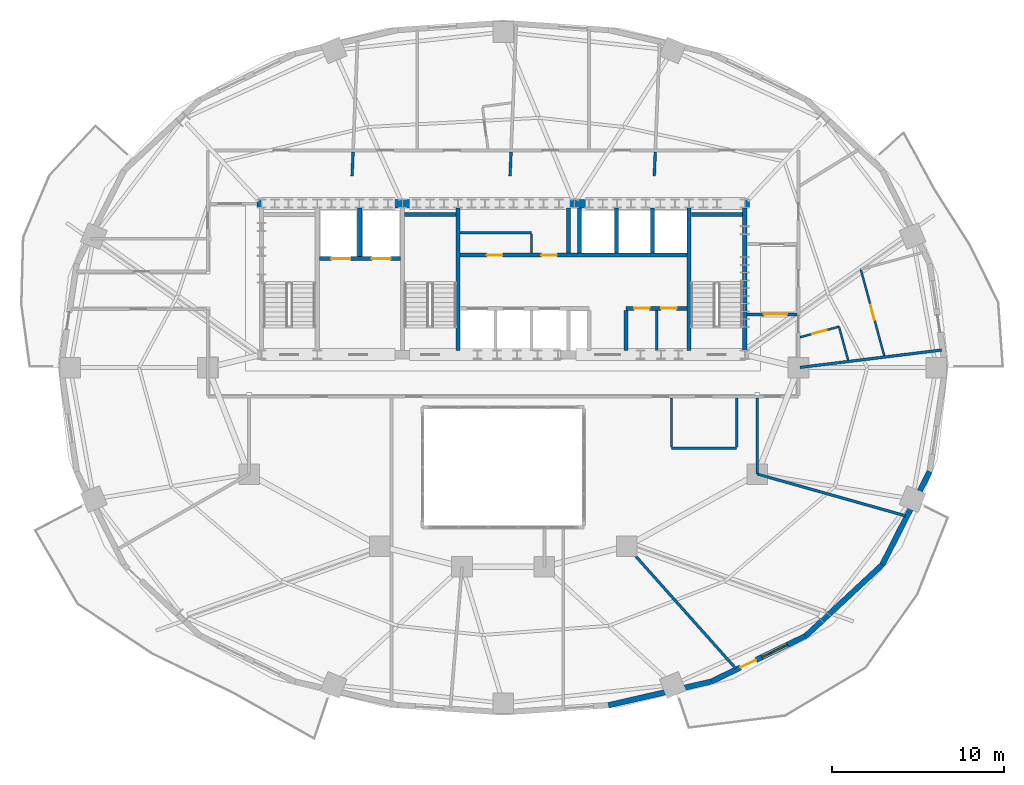
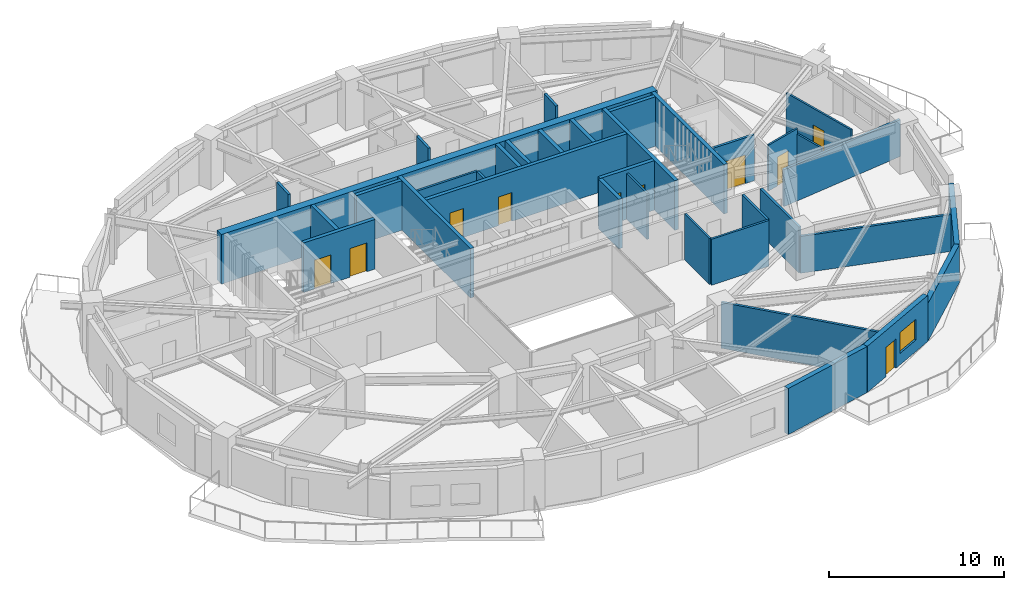
# One storey, part 7 of 13: 36 walls, 10 doors, 1 window, 11 openings.
"""IFC4 building model written with IfcOpenShell, lengths in metres."""

from ifc_helpers import new_model, si_unit, direction, frame, frame_2d, origin, place, context, subcontext, project, spatial, rectangle, extrude, material, layer, layer_set, type_object, element, fill, save


model = new_model("IFC4")

# Units and contexts
model_context = context("Model", 3, precision=1e-05, world=origin(), true_north=direction((0.0, 1.0)))
body_context = subcontext(model_context, "Body", "Model", "MODEL_VIEW")
ifc_project = project(units=[si_unit("LENGTHUNIT", "METRE"), si_unit("AREAUNIT", "SQUARE_METRE"), si_unit("VOLUMEUNIT", "CUBIC_METRE"), si_unit("PLANEANGLEUNIT", "RADIAN"), si_unit("MASSUNIT", "GRAM", prefix="KILO")], contexts=[model_context])

# Site, building, storey
site_placement = place(None, origin())
site = spatial("IfcSite", under=ifc_project, at=site_placement, CompositionType="ELEMENT")
building_placement = place(site_placement, origin())
building = spatial("IfcBuilding", under=site, at=building_placement, Name="Haldorwick Loom Tower", CompositionType="ELEMENT")
storey_placement = place(building_placement, frame((0.0, 0.0, 135.64990234375)))
storey = spatial("IfcBuildingStorey", under=building, at=storey_placement, Name="L36", CompositionType="ELEMENT", Elevation=135.64990234375)

# Wall
ifc_material_1 = material(Name="Pressed Clay Face Brick and Insulated Masonry Backup Assembly", Category="masonry")
ifc_layer_1 = layer(ifc_material_1, 0.320068359375, Name="Pressed Clay Face Brick and Insulated Masonry Backup Assembly", Category="masonry")
ifc_layer_set_1 = layer_set([ifc_layer_1], Name="Pressed Clay Face Brick and Insulated Masonry Backup Assembly")
wall_type_1 = type_object("IfcWallType", Name="ARC-WL-EXT320", PredefinedType="STANDARD", material=ifc_layer_set_1)
wall_1_placement = place(storey_placement, frame((42.12890625, 6.3359375, 0.0), z_axis=(0.0, 0.0, 1.0), x_axis=(0.974593223547, 0.223982250674, 0.0)))
element("IfcWall", 1, at=wall_1_placement, inside=storey, type_object=wall_type_1, Name="L36 Brick Pier and Spandrel Wall 20", PredefinedType="STANDARD", context=body_context, shape_type="SweptSolid", body=[
    extrude(rectangle(XDim=6.138916015625, YDim=0.320068359375, at=frame_2d((3.0693359375, 0.0))), origin(), (0.0, 0.0, 1.0), 3.210205078125),
])

# Wall, openings, door, window
wall_2_placement = place(storey_placement, frame((48.11181640625, 7.7109375, 0.0), z_axis=(0.0, 0.0, 1.0), x_axis=(0.900479976617, 0.434897472644, 0.0)))
wall_2 = element("IfcWall", 2, at=wall_2_placement, inside=storey, type_object=wall_type_1, Name="L36 Brick Pier and Spandrel Wall 21", PredefinedType="STANDARD", context=body_context, shape_type="SweptSolid", body=[
    extrude(rectangle(XDim=6.118408203125, YDim=0.320068359375, at=frame_2d((3.05908203125, 0.0))), origin(), (0.0, 0.0, 1.0), 3.210205078125),
])
opening_1_placement = place(wall_2_placement, frame((1.8994140625, 0.0, 0.0)))
opening_1 = element("IfcOpeningElement", 3, at=opening_1_placement, cuts=wall_2, Name="Opening D-BL10", PredefinedType="OPENING", context=body_context, shape_type="SweptSolid", body=[
    extrude(rectangle(XDim=1.0, YDim=2.0400390625, at=frame_2d((0.5, 1.02001953125))), frame((0.0, 0.169921875, 0.0), z_axis=(0.0, -1.0, 0.0), x_axis=(1.0, 0.0, 0.0)), (0.0, 0.0, 1.0), 0.340087890625),
])
opening_2_placement = place(wall_2_placement, frame((3.28662109375, 0.0, 0.800048828125)))
opening_2 = element("IfcOpeningElement", 4, at=opening_2_placement, cuts=wall_2, Name="Opening W-01B", PredefinedType="OPENING", context=body_context, shape_type="SweptSolid", body=[
    extrude(rectangle(XDim=1.64990234375, YDim=1.449951171875, at=frame_2d((0.824951171875, 0.72509765625))), frame((0.0, 0.169921875, 0.0), z_axis=(0.0, -1.0, 0.0), x_axis=(1.0, 0.0, 0.0)), (0.0, 0.0, 1.0), 0.340087890625),
])
ifc_material_2 = material(Name="Thermally Broken Anodized Aluminium Curtain Wall Framing", Category="aluminium")
door_type_1 = type_object("IfcDoorType", Name="ARC-DR-BAL100", OperationType="NOTDEFINED", PredefinedType="DOOR", material=ifc_material_2)
door_1_placement = place(opening_1_placement, origin())
door_1 = element("IfcDoor", 5, at=door_1_placement, inside=storey, type_object=door_type_1, Name="L36 Outdoor Terrace Door SLB-L36-BAL_SE", OperationType="SINGLE_SWING_RIGHT", OverallHeight=2.0400390625, OverallWidth=1.0, PredefinedType="DOOR", context=body_context, shape_type="SweptSolid", body=[
    extrude(rectangle(XDim=1.0, YDim=2.0400390625, at=frame_2d((0.5, 1.02001953125))), frame((0.0, 0.02490234375, 0.0), z_axis=(0.0, -1.0, 0.0), x_axis=(1.0, 0.0, 0.0)), (0.0, 0.0, 1.0), 0.050048828125),
])
fill(opening_1, door_1)
ifc_material_3 = material(Name="Triple-Glazed Low-E Argon Insulated Glazing Unit", Category="glass")
window_type = type_object("IfcWindowType", Name="ARC-WIN-W165", PartitioningType="SINGLE_PANEL", PredefinedType="WINDOW", material=ifc_material_3)
window_placement = place(opening_2_placement, origin())
window = element("IfcWindow", 6, at=window_placement, inside=storey, type_object=window_type, Name="L36 Deep-Set Zone 7A Window 21", OverallHeight=1.449951171875, OverallWidth=1.64990234375, PartitioningType="SINGLE_PANEL", PredefinedType="WINDOW", context=body_context, shape_type="SweptSolid", body=[
    extrude(rectangle(XDim=1.64990234375, YDim=1.449951171875, at=frame_2d((0.824951171875, 0.72509765625))), frame((0.0, 0.030029296875, 0.0), z_axis=(0.0, -1.0, 0.0), x_axis=(1.0, 0.0, 0.0)), (0.0, 0.0, 1.0), 0.06005859375),
])
fill(opening_2, window)

# Walls
for number, where, z_axis, x_axis, name in (
    (7, (53.621337890625, 10.371826171875, 0.0), (0.0, 0.0, 1.0), (0.731982952968, 0.681322945866, 0.0), "L36 Brick Pier and Spandrel Wall 22"),
    (8, (58.07666015625, 14.518798828125, 0.0), (0.0, 0.0, 1.0), (0.453172129629, 0.89142303141, 0.0), "L36 Brick Pier and Spandrel Wall 23"),
):
    element("IfcWall", number, at=place(storey_placement, frame(where, z_axis=z_axis, x_axis=x_axis)), inside=storey, type_object=wall_type_1, Name=name, PredefinedType="STANDARD", context=body_context, shape_type="SweptSolid", body=[
        extrude(rectangle(XDim=6.086669921875, YDim=0.320068359375, at=frame_2d((3.04345703125, 0.0))), origin(), (0.0, 0.0, 1.0), 2.64111328125),
    ])

# Wall, opening, door
ifc_material_4 = material(Name="Fire-Rated Type X Gypsum Stud Assembly EI 60")
ifc_layer_2 = layer(ifc_material_4, 0.159912109375, Name="Fire-Rated Type X Gypsum Stud Assembly EI 60")
ifc_layer_set_2 = layer_set([ifc_layer_2], Name="Fire-Rated Type X Gypsum Stud Assembly EI 60")
wall_type_2 = type_object("IfcWallType", Name="ARC-WL-FIRE160", PredefinedType="PARTITIONING", material=ifc_layer_set_2)
wall_3_placement = place(storey_placement, frame((50.193115234375, 29.10009765625, 0.0), z_axis=(0.0, 0.0, 1.0), x_axis=(1.0, 0.0, 0.0)))
wall_3 = element("IfcWall", 9, at=wall_3_placement, inside=storey, type_object=wall_type_2, Name="L36 Residential Fire Partition L36-CR-ESJ", PredefinedType="PARTITIONING", context=body_context, shape_type="SweptSolid", body=[
    extrude(rectangle(XDim=2.923828125, YDim=0.159912109375, at=frame_2d((1.4619140625, 0.0))), origin(), (0.0, 0.0, 1.0), 3.195068359375),
])
opening_3_placement = place(wall_3_placement, frame((0.99560546875, 0.0, 0.0)))
opening_3 = element("IfcOpeningElement", 10, at=opening_3_placement, cuts=wall_3, Name="Opening D-CR15", PredefinedType="OPENING", context=body_context, shape_type="SweptSolid", body=[
    extrude(rectangle(XDim=1.35009765625, YDim=2.0, at=frame_2d((0.675048828125, 1.0))), frame((0.0, 0.08984375, 0.0), z_axis=(0.0, -1.0, 0.0), x_axis=(1.0, 0.0, 0.0)), (0.0, 0.0, 1.0), 0.179931640625),
])
ifc_material_5 = material(Name="Thermally Broken Anodized Aluminium and Tempered Glass", Category="aluminium")
door_type_2 = type_object("IfcDoorType", Name="ARC-DR-COR150", OperationType="NOTDEFINED", PredefinedType="DOOR", material=ifc_material_5)
door_2_placement = place(opening_3_placement, origin())
door_2 = element("IfcDoor", 11, at=door_2_placement, inside=storey, type_object=door_type_2, Name="L36 L36 East Residential Corridor to L36 Central Residential Corridor Do", OperationType="DOUBLE_DOOR_SINGLE_SWING", OverallHeight=2.0, OverallWidth=1.35009765625, PredefinedType="DOOR", context=body_context, shape_type="SweptSolid", body=[
    extrude(rectangle(XDim=1.35009765625, YDim=2.0, at=frame_2d((0.675048828125, 1.0))), frame((0.0, 0.02490234375, 0.0), z_axis=(0.0, -1.0, 0.0), x_axis=(1.0, 0.0, 0.0)), (0.0, 0.0, 1.0), 0.050048828125),
])
fill(opening_3, door_2)

# Walls
wall_4_placement = place(storey_placement, frame((53.282958984375, 26.01025390625, 0.0), z_axis=(0.0, 0.0, 1.0), x_axis=(0.99254744349, 0.121858821682, 0.0)))
element("IfcWall", 12, at=wall_4_placement, inside=storey, type_object=wall_type_2, Name="L36 Residential Fire Partition L36-ICR-01", PredefinedType="PARTITIONING", context=body_context, shape_type="SweptSolid", body=[
    extrude(rectangle(XDim=8.314453125, YDim=0.159912109375, at=frame_2d((4.1572265625, 0.0))), origin(), (0.0, 0.0, 1.0), 2.568115234375),
])
wall_5_placement = place(storey_placement, frame((50.800048828125, 19.800048828125, 0.0), z_axis=(0.0, 0.0, 1.0), x_axis=(0.962549528808, -0.271105891842, 0.0)))
element("IfcWall", 13, at=wall_5_placement, inside=storey, type_object=wall_type_2, Name="L36 Residential Fire Partition L36-ICR-03", PredefinedType="PARTITIONING", context=body_context, shape_type="SweptSolid", body=[
    extrude(rectangle(XDim=8.986328125, YDim=0.159912109375, at=frame_2d((4.4931640625, 0.0))), origin(), (0.0, 0.0, 1.0), 2.568115234375),
])
wall_6_placement = place(storey_placement, frame((43.199951171875, 15.60009765625, 0.0), z_axis=(0.0, 0.0, 1.0), x_axis=(0.66516713388, -0.74669450514, 0.0)))
element("IfcWall", 14, at=wall_6_placement, inside=storey, type_object=wall_type_2, Name="L36 Residential Fire Partition L36-ICR-05", PredefinedType="PARTITIONING", context=body_context, shape_type="SweptSolid", body=[
    extrude(rectangle(XDim=9.540771484375, YDim=0.159912109375, at=frame_2d((4.7705078125, 0.0))), origin(), (0.0, 0.0, 1.0), 3.195068359375),
])
wall_7_placement = place(storey_placement, frame((50.800048828125, 24.217041015625, 0.0), z_axis=(0.0, 0.0, 1.0), x_axis=(0.0, -1.0, 0.0)))
element("IfcWall", 15, at=wall_7_placement, inside=storey, type_object=wall_type_2, Name="L36 Residential Fire Partition L36-ICA-02", PredefinedType="PARTITIONING", context=body_context, shape_type="SweptSolid", body=[
    extrude(rectangle(XDim=4.4169921875, YDim=0.159912109375, at=frame_2d((2.20849609375, 0.0))), origin(), (0.0, 0.0, 1.0), 3.195068359375),
])
for number, where, z_axis, x_axis, name in (
    (16, (27.199951171875, 37.14990234375, 0.0), (0.0, 0.0, 1.0), (0.040628040027, 0.999174340325, 0.0), "L36 Residential Fire Partition L36-UPN-12"),
    (17, (36.39990234375, 37.14990234375, 0.0), (0.0, 0.0, 1.0), (0.040628040027, 0.999174340325, 0.0), "L36 Residential Fire Partition L36-UPN-13"),
    (18, (44.800048828125, 37.14990234375, 0.0), (0.0, 0.0, 1.0), (0.040456169676, 0.999181314044, 0.0), "L36 Residential Fire Partition L36-UPN-14"),
):
    element("IfcWall", number, at=place(storey_placement, frame(where, z_axis=z_axis, x_axis=x_axis)), inside=storey, type_object=wall_type_2, Name=name, PredefinedType="PARTITIONING", context=body_context, shape_type="SweptSolid", body=[
        extrude(rectangle(XDim=1.418212890625, YDim=0.159912109375, at=frame_2d((0.708984375, 0.0))), origin(), (0.0, 0.0, 1.0), 3.195068359375),
    ])
ifc_material_6 = material(Name="Acoustic Gypsum Stud Assembly STC 55")
ifc_layer_3 = layer(ifc_material_6, 0.1201171875, Name="Acoustic Gypsum Stud Assembly STC 55")
ifc_layer_set_3 = layer_set([ifc_layer_3], Name="Acoustic Gypsum Stud Assembly STC 55")
wall_type_3 = type_object("IfcWallType", Name="ARC-WL-PART120", PredefinedType="PARTITIONING", material=ifc_layer_set_3)
wall_8_placement = place(storey_placement, frame((56.08740234375, 26.43798828125, 0.0), z_axis=(0.0, 0.0, 1.0), x_axis=(-0.262134196137, 0.965031431206, 0.0)))
element("IfcWall", 19, at=wall_8_placement, inside=storey, type_object=wall_type_3, Name="L36 Unit 36D Interior Partition", PredefinedType="PARTITIONING", context=body_context, shape_type="SweptSolid", body=[
    extrude(rectangle(XDim=2.017333984375, YDim=0.1201171875, at=frame_2d((1.0087890625, 0.0))), origin(), (0.0, 0.0, 1.0), 2.8271484375),
])

# Wall, opening, door
wall_9_placement = place(storey_placement, frame((53.282958984375, 27.7666015625, 0.0), z_axis=(0.0, 0.0, 1.0), x_axis=(0.965028534236, 0.262144860925, 0.0)))
wall_9 = element("IfcWall", 20, at=wall_9_placement, inside=storey, type_object=wall_type_3, Name="L36 Unit 36D Interior Partition", PredefinedType="PARTITIONING", context=body_context, shape_type="SweptSolid", body=[
    extrude(rectangle(XDim=2.358154296875, YDim=0.1201171875, at=frame_2d((1.17919921875, 0.0))), origin(), (0.0, 0.0, 1.0), 3.195068359375),
])
opening_4_placement = place(wall_9_placement, frame((0.739013671875, 0.0, 0.0)))
opening_4 = element("IfcOpeningElement", 21, at=opening_4_placement, cuts=wall_9, Name="Opening D-BT88", PredefinedType="OPENING", context=body_context, shape_type="SweptSolid", body=[
    extrude(rectangle(XDim=0.8798828125, YDim=2.02001953125, at=frame_2d((0.43994140625, 1.010009765625))), frame((0.0, 0.070068359375, 0.0), z_axis=(0.0, -1.0, 0.0), x_axis=(1.0, 0.0, 0.0)), (0.0, 0.0, 1.0), 0.14013671875),
])
ifc_material_7 = material(Name="Solid Core Birch Architectural Door")
door_type_3 = type_object("IfcDoorType", Name="ARC-DR-BATH88", OperationType="NOTDEFINED", PredefinedType="DOOR", material=ifc_material_7)
door_3_placement = place(opening_4_placement, origin())
door_3 = element("IfcDoor", 22, at=door_3_placement, inside=storey, type_object=door_type_3, Name="L36 Unit 36D Kitchen and Living Room to Unit 36D Bathroom Door", OperationType="SINGLE_SWING_LEFT", OverallHeight=2.02001953125, OverallWidth=0.8798828125, PredefinedType="DOOR", context=body_context, shape_type="SweptSolid", body=[
    extrude(rectangle(XDim=0.8798828125, YDim=2.02001953125, at=frame_2d((0.43994140625, 1.010009765625))), frame((0.0, 0.02490234375, 0.0), z_axis=(0.0, -1.0, 0.0), x_axis=(1.0, 0.0, 0.0)), (0.0, 0.0, 1.0), 0.050048828125),
])
fill(opening_4, door_3)

wall_10_placement = place(storey_placement, frame((58.19140625, 26.696533203125, 0.0), z_axis=(0.0, 0.0, 1.0), x_axis=(-0.262185642536, 0.965017455204, 0.0)))
wall_10 = element("IfcWall", 23, at=wall_10_placement, inside=storey, type_object=wall_type_3, Name="L36 Unit 36D Interior Partition", PredefinedType="PARTITIONING", context=body_context, shape_type="SweptSolid", body=[
    extrude(rectangle(XDim=5.2109375, YDim=0.1201171875, at=frame_2d((2.60546875, 0.0))), origin(), (0.0, 0.0, 1.0), 3.195068359375),
])
opening_5_placement = place(wall_10_placement, frame((2.155517578125, 0.0, 0.0)))
opening_5 = element("IfcOpeningElement", 24, at=opening_5_placement, cuts=wall_10, Name="Opening D-IN90", PredefinedType="OPENING", context=body_context, shape_type="SweptSolid", body=[
    extrude(rectangle(XDim=0.89990234375, YDim=2.0400390625, at=frame_2d((0.449951171875, 1.02001953125))), frame((0.0, 0.070068359375, 0.0), z_axis=(0.0, -1.0, 0.0), x_axis=(1.0, 0.0, 0.0)), (0.0, 0.0, 1.0), 0.14013671875),
])
door_type_4 = type_object("IfcDoorType", Name="ARC-DR-INT90", OperationType="NOTDEFINED", PredefinedType="DOOR", material=ifc_material_7)
door_4_placement = place(opening_5_placement, origin())
door_4 = element("IfcDoor", 25, at=door_4_placement, inside=storey, type_object=door_type_4, Name="L36 Unit 36D Kitchen and Living Room to Unit 36D Bedroom 1 Door", OperationType="SINGLE_SWING_LEFT", OverallHeight=2.0400390625, OverallWidth=0.89990234375, PredefinedType="DOOR", context=body_context, shape_type="SweptSolid", body=[
    extrude(rectangle(XDim=0.89990234375, YDim=2.0400390625, at=frame_2d((0.449951171875, 1.02001953125))), frame((0.0, 0.02490234375, 0.0), z_axis=(0.0, -1.0, 0.0), x_axis=(1.0, 0.0, 0.0)), (0.0, 0.0, 1.0), 0.050048828125),
])
fill(opening_5, door_4)

# Walls
ifc_layer_4 = layer(ifc_material_4, 0.139892578125, Name="Fire-Rated Type X Gypsum Stud Assembly EI 60")
ifc_layer_set_4 = layer_set([ifc_layer_4], Name="Fire-Rated Type X Gypsum Stud Assembly EI 60")
wall_type_4 = type_object("IfcWallType", Name="ARC-WL-PART140", PredefinedType="PARTITIONING", material=ifc_layer_set_4)
wall_11_placement = place(storey_placement, frame((33.492919921875, 33.85009765625, 0.0), z_axis=(0.0, 0.0, 1.0), x_axis=(1.0, 0.0, 0.0)))
element("IfcWall", 26, at=wall_11_placement, inside=storey, type_object=wall_type_4, Name="L36 Storage South Partition", PredefinedType="PARTITIONING", context=body_context, shape_type="SweptSolid", body=[
    extrude(rectangle(XDim=4.156982421875, YDim=0.139892578125, at=frame_2d((2.07861328125, 0.0))), origin(), (0.0, 0.0, 1.0), 3.195068359375),
])
wall_12_placement = place(storey_placement, frame((37.64990234375, 32.673095703125, 0.0), z_axis=(0.0, 0.0, 1.0), x_axis=(0.0, 1.0, 0.0)))
element("IfcWall", 27, at=wall_12_placement, inside=storey, type_object=wall_type_4, Name="L36 Storage East Partition", PredefinedType="PARTITIONING", context=body_context, shape_type="SweptSolid", body=[
    extrude(rectangle(XDim=1.10400390625, YDim=0.139892578125, at=frame_2d((0.552001953125, 0.0))), origin(), (0.0, 0.0, 1.0), 3.195068359375),
])
wall_13_placement = place(storey_placement, frame((44.949951171875, 27.0029296875, 0.0), z_axis=(0.0, 0.0, 1.0), x_axis=(0.0, 1.0, 0.0)))
element("IfcWall", 28, at=wall_13_placement, inside=storey, type_object=wall_type_4, Name="L36 Service Partition", PredefinedType="PARTITIONING", context=body_context, shape_type="SweptSolid", body=[
    extrude(rectangle(XDim=2.323974609375, YDim=0.139892578125, at=frame_2d((1.162109375, 0.0))), origin(), (0.0, 0.0, 1.0), 3.195068359375),
])
wall_14_placement = place(storey_placement, frame((45.800048828125, 21.300048828125, 0.0), z_axis=(0.0, 0.0, 1.0), x_axis=(1.0, 0.0, 0.0)))
element("IfcWall", 29, at=wall_14_placement, inside=storey, type_object=wall_type_4, Name="L36 Residential Fire Partition L36-CWC-S", PredefinedType="PARTITIONING", context=body_context, shape_type="SweptSolid", body=[
    extrude(rectangle(XDim=3.800048828125, YDim=0.139892578125, at=frame_2d((1.89990234375, 0.0))), origin(), (0.0, 0.0, 1.0), 3.195068359375),
])
for number, where, z_axis, x_axis, name in (
    (30, (45.800048828125, 21.373046875, 0.0), (0.0, 0.0, 1.0), (0.0, 1.0, 0.0), "L36 Residential Fire Partition L36-CWC-W"),
    (31, (49.60009765625, 21.373046875, 0.0), (0.0, 0.0, 1.0), (0.0, 1.0, 0.0), "L36 Residential Fire Partition L36-CWC-E"),
):
    element("IfcWall", number, at=place(storey_placement, frame(where, z_axis=z_axis, x_axis=x_axis)), inside=storey, type_object=wall_type_4, Name=name, PredefinedType="PARTITIONING", context=body_context, shape_type="SweptSolid", body=[
        extrude(rectangle(XDim=2.843994140625, YDim=0.139892578125, at=frame_2d((1.421875, 0.0))), origin(), (0.0, 0.0, 1.0), 3.195068359375),
    ])
ifc_material_8 = material(Name="Concrete C60 (60 MPa)", Category="concrete")
ifc_layer_5 = layer(ifc_material_8, 0.5, Name="Concrete C60 (60 MPa)", Category="concrete")
ifc_layer_set_5 = layer_set([ifc_layer_5], Name="Concrete C60 (60 MPa)")
wall_type_5 = type_object("IfcWallType", Name="STR-WL-CORE500", PredefinedType="SHEAR", material=ifc_layer_set_5)
wall_15_placement = place(storey_placement, frame((50.35009765625, 35.550048828125, 0.0), z_axis=(0.0, 0.0, 1.0), x_axis=(-1.0, 0.0, 0.0)))
element("IfcWall", 32, at=wall_15_placement, inside=storey, type_object=wall_type_5, Name="L36 Core Shear Wall N", PredefinedType="SHEAR", context=body_context, shape_type="SweptSolid", body=[
    extrude(rectangle(XDim=28.7001953125, YDim=0.5, at=frame_2d((14.35009765625, 0.0))), origin(), (0.0, 0.0, 1.0), 3.4501953125),
])
ifc_material_9 = material(Name="Concrete C50 (50 MPa)", Category="concrete")
ifc_layer_6 = layer(ifc_material_9, 0.239990234375, Name="Concrete C50 (50 MPa)", Category="concrete")
ifc_layer_set_6 = layer_set([ifc_layer_6], Name="Concrete C50 (50 MPa)")
wall_type_6 = type_object("IfcWallType", Name="STR-WL-SHAFT240", PredefinedType="SHEAR", material=ifc_layer_set_6)
for number, where, z_axis, x_axis, name in (
    (33, (50.070068359375, 27.0029296875, 0.0), (0.0, 0.0, 1.0), (0.0, 1.0, 0.0), "L36 Core Shear Wall E"),
    (34, (33.3701171875, 27.0029296875, 0.0), (0.0, 0.0, 1.0), (0.0, 1.0, 0.0), "L36 Core Shear Wall 3"),
):
    element("IfcWall", number, at=place(storey_placement, frame(where, z_axis=z_axis, x_axis=x_axis)), inside=storey, type_object=wall_type_6, Name=name, PredefinedType="SHEAR", context=body_context, shape_type="SweptSolid", body=[
        extrude(rectangle(XDim=8.294189453125, YDim=0.239990234375, at=frame_2d((4.14697265625, 0.0))), origin(), (0.0, 0.0, 1.0), 3.4501953125),
    ])
wall_16_placement = place(storey_placement, frame((30.2529296875, 34.919921875, 0.0), z_axis=(0.0, 0.0, 1.0), x_axis=(1.0, 0.0, 0.0)))
element("IfcWall", 35, at=wall_16_placement, inside=storey, type_object=wall_type_6, Name="L36 Core Shear Wall 3N", PredefinedType="SHEAR", context=body_context, shape_type="SweptSolid", body=[
    extrude(rectangle(XDim=2.994140625, YDim=0.239990234375, at=frame_2d((1.4970703125, 0.0))), origin(), (0.0, 0.0, 1.0), 3.4501953125),
])
wall_17_placement = place(storey_placement, frame((46.830078125, 27.0029296875, 0.0), z_axis=(0.0, 0.0, 1.0), x_axis=(0.0, 1.0, 0.0)))
element("IfcWall", 36, at=wall_17_placement, inside=storey, type_object=wall_type_6, Name="L36 Core Shear Wall 4", PredefinedType="SHEAR", context=body_context, shape_type="SweptSolid", body=[
    extrude(rectangle(XDim=8.294189453125, YDim=0.239990234375, at=frame_2d((4.14697265625, 0.0))), origin(), (0.0, 0.0, 1.0), 3.4501953125),
])
wall_18_placement = place(storey_placement, frame((46.952880859375, 34.919921875, 0.0), z_axis=(0.0, 0.0, 1.0), x_axis=(1.0, 0.0, 0.0)))
element("IfcWall", 37, at=wall_18_placement, inside=storey, type_object=wall_type_6, Name="L36 Core Shear Wall 4N", PredefinedType="SHEAR", context=body_context, shape_type="SweptSolid", body=[
    extrude(rectangle(XDim=2.994140625, YDim=0.239990234375, at=frame_2d((1.4970703125, 0.0))), origin(), (0.0, 0.0, 1.0), 3.4501953125),
])

# Wall, openings, doors
wall_19_placement = place(storey_placement, frame((25.29296875, 32.35009765625, 0.0), z_axis=(0.0, 0.0, 1.0), x_axis=(1.0, 0.0, 0.0)))
wall_19 = element("IfcWall", 38, at=wall_19_placement, inside=storey, type_object=wall_type_6, Name="L36 Core Shear Wall FF", PredefinedType="SHEAR", context=body_context, shape_type="SweptSolid", body=[
    extrude(rectangle(XDim=4.714111328125, YDim=0.239990234375, at=frame_2d((2.35693359375, 0.0))), origin(), (0.0, 0.0, 1.0), 3.4501953125),
])
opening_6_placement = place(wall_19_placement, frame((0.70703125, 0.0, 0.0)))
opening_6 = element("IfcOpeningElement", 39, at=opening_6_placement, cuts=wall_19, Name="Opening LD-FF1", PredefinedType="OPENING", context=body_context, shape_type="SweptSolid", body=[
    extrude(rectangle(XDim=1.10009765625, YDim=2.0, at=frame_2d((0.550048828125, 1.0))), frame((0.0, 0.1298828125, 0.0), z_axis=(0.0, -1.0, 0.0), x_axis=(1.0, 0.0, 0.0)), (0.0, 0.0, 1.0), 0.260009765625),
])
opening_7_placement = place(wall_19_placement, frame((3.056884765625, 0.0, 0.0)))
opening_7 = element("IfcOpeningElement", 40, at=opening_7_placement, cuts=wall_19, Name="Opening LD-FF2", PredefinedType="OPENING", context=body_context, shape_type="SweptSolid", body=[
    extrude(rectangle(XDim=1.10009765625, YDim=2.0, at=frame_2d((0.550048828125, 1.0))), frame((0.0, 0.1298828125, 0.0), z_axis=(0.0, -1.0, 0.0), x_axis=(1.0, 0.0, 0.0)), (0.0, 0.0, 1.0), 0.260009765625),
])
ifc_material_10 = material(Name="Hollow Steel Fire Door Assembly", Category="steel")
door_type_5 = type_object("IfcDoorType", Name="ARC-DR-LD-FF", OperationType="NOTDEFINED", PredefinedType="USERDEFINED", material=ifc_material_10)
door_5_placement = place(opening_6_placement, origin())
door_5 = element("IfcDoor", 41, at=door_5_placement, inside=storey, type_object=door_type_5, Name="L36 Lift LF-FF1 Sliding Landing Door", ObjectType="LANDING DOOR", OperationType="DOUBLE_DOOR_SLIDING", OverallHeight=2.0, OverallWidth=1.10009765625, PredefinedType="USERDEFINED", context=body_context, shape_type="SweptSolid", body=[
    extrude(rectangle(XDim=1.10009765625, YDim=2.0, at=frame_2d((0.550048828125, 1.0))), frame((0.0, 0.02490234375, 0.0), z_axis=(0.0, -1.0, 0.0), x_axis=(1.0, 0.0, 0.0)), (0.0, 0.0, 1.0), 0.050048828125),
])
fill(opening_6, door_5)
door_6_placement = place(opening_7_placement, origin())
door_6 = element("IfcDoor", 42, at=door_6_placement, inside=storey, type_object=door_type_5, Name="L36 Lift LF-FF2 Sliding Landing Door", ObjectType="LANDING DOOR", OperationType="DOUBLE_DOOR_SLIDING", OverallHeight=2.0, OverallWidth=1.10009765625, PredefinedType="USERDEFINED", context=body_context, shape_type="SweptSolid", body=[
    extrude(rectangle(XDim=1.10009765625, YDim=2.0, at=frame_2d((0.550048828125, 1.0))), frame((0.0, 0.02490234375, 0.0), z_axis=(0.0, -1.0, 0.0), x_axis=(1.0, 0.0, 0.0)), (0.0, 0.0, 1.0), 0.050048828125),
])
fill(opening_7, door_6)

# Wall
wall_20_placement = place(storey_placement, frame((27.64990234375, 32.472900390625, 0.0), z_axis=(0.0, 0.0, 1.0), x_axis=(0.0, 1.0, 0.0)))
element("IfcWall", 43, at=wall_20_placement, inside=storey, type_object=wall_type_6, Name="L36 Core Shear Wall FFD", PredefinedType="SHEAR", context=body_context, shape_type="SweptSolid", body=[
    extrude(rectangle(XDim=2.82421875, YDim=0.239990234375, at=frame_2d((1.412109375, 0.0))), origin(), (0.0, 0.0, 1.0), 3.4501953125),
])

# Wall, openings, doors
wall_21_placement = place(storey_placement, frame((33.492919921875, 32.550048828125, 0.0), z_axis=(0.0, 0.0, 1.0), x_axis=(1.0, 0.0, 0.0)))
wall_21 = element("IfcWall", 44, at=wall_21_placement, inside=storey, type_object=wall_type_6, Name="L36 Core Shear Wall LN", PredefinedType="SHEAR", context=body_context, shape_type="SweptSolid", body=[
    extrude(rectangle(XDim=13.214111328125, YDim=0.239990234375, at=frame_2d((6.60693359375, 0.0))), origin(), (0.0, 0.0, 1.0), 3.4501953125),
])
opening_8_placement = place(wall_21_placement, frame((1.556884765625, 0.0, 0.0)))
opening_8 = element("IfcOpeningElement", 45, at=opening_8_placement, cuts=wall_21, Name="Opening D-FD60A", PredefinedType="OPENING", context=body_context, shape_type="SweptSolid", body=[
    extrude(rectangle(XDim=0.89990234375, YDim=2.0, at=frame_2d((0.449951171875, 1.0))), frame((0.0, 0.1298828125, 0.0), z_axis=(0.0, -1.0, 0.0), x_axis=(1.0, 0.0, 0.0)), (0.0, 0.0, 1.0), 0.260009765625),
])
opening_9_placement = place(wall_21_placement, frame((4.737060546875, 0.0, 0.0)))
opening_9 = element("IfcOpeningElement", 46, at=opening_9_placement, cuts=wall_21, Name="Opening D-FD60A", PredefinedType="OPENING", context=body_context, shape_type="SweptSolid", body=[
    extrude(rectangle(XDim=0.89990234375, YDim=2.0, at=frame_2d((0.449951171875, 1.0))), frame((0.0, 0.1298828125, 0.0), z_axis=(0.0, -1.0, 0.0), x_axis=(1.0, 0.0, 0.0)), (0.0, 0.0, 1.0), 0.260009765625),
])
door_type_6 = type_object("IfcDoorType", Name="ARC-DR-FD60-90", OperationType="NOTDEFINED", PredefinedType="DOOR", material=ifc_material_10)
door_7_placement = place(opening_8_placement, frame((0.89990234375, 0.0, 0.0), z_axis=(0.0, 0.0, 1.0), x_axis=(-1.0, 0.0, 0.0)))
door_7 = element("IfcDoor", 47, at=door_7_placement, inside=storey, type_object=door_type_6, Name="L36 Resident Storage Door", OperationType="SINGLE_SWING_LEFT", OverallHeight=2.0, OverallWidth=0.89990234375, PredefinedType="DOOR", context=body_context, shape_type="SweptSolid", body=[
    extrude(rectangle(XDim=0.89990234375, YDim=2.0, at=frame_2d((0.449951171875, 1.0))), frame((0.0, 0.02490234375, 0.0), z_axis=(0.0, -1.0, 0.0), x_axis=(1.0, 0.0, 0.0)), (0.0, 0.0, 1.0), 0.050048828125),
])
fill(opening_8, door_7)
door_8_placement = place(opening_9_placement, frame((0.89990234375, 0.0, 0.0), z_axis=(0.0, 0.0, 1.0), x_axis=(-1.0, 0.0, 0.0)))
door_8 = element("IfcDoor", 48, at=door_8_placement, inside=storey, type_object=door_type_6, Name="L36 Laundry Door", OperationType="SINGLE_SWING_RIGHT", OverallHeight=2.0, OverallWidth=0.89990234375, PredefinedType="DOOR", context=body_context, shape_type="SweptSolid", body=[
    extrude(rectangle(XDim=0.89990234375, YDim=2.0, at=frame_2d((0.449951171875, 1.0))), frame((0.0, 0.02490234375, 0.0), z_axis=(0.0, -1.0, 0.0), x_axis=(1.0, 0.0, 0.0)), (0.0, 0.0, 1.0), 0.050048828125),
])
fill(opening_9, door_8)

wall_22_placement = place(storey_placement, frame((43.14990234375, 29.449951171875, 0.0), z_axis=(0.0, 0.0, 1.0), x_axis=(1.0, 0.0, 0.0)))
wall_22 = element("IfcWall", 49, at=wall_22_placement, inside=storey, type_object=wall_type_6, Name="L36 Core Shear Wall LS2", PredefinedType="SHEAR", context=body_context, shape_type="SweptSolid", body=[
    extrude(rectangle(XDim=3.55712890625, YDim=0.239990234375, at=frame_2d((1.778564453125, 0.0))), origin(), (0.0, 0.0, 1.0), 3.4501953125),
])
opening_10_placement = place(wall_22_placement, frame((0.47998046875, 0.0, 0.0)))
opening_10 = element("IfcOpeningElement", 50, at=opening_10_placement, cuts=wall_22, Name="Opening D-FD60A", PredefinedType="OPENING", context=body_context, shape_type="SweptSolid", body=[
    extrude(rectangle(XDim=0.89990234375, YDim=2.0, at=frame_2d((0.449951171875, 1.0))), frame((0.0, 0.1298828125, 0.0), z_axis=(0.0, -1.0, 0.0), x_axis=(1.0, 0.0, 0.0)), (0.0, 0.0, 1.0), 0.260009765625),
])
opening_11_placement = place(wall_22_placement, frame((2.050048828125, 0.0, 0.0)))
opening_11 = element("IfcOpeningElement", 51, at=opening_11_placement, cuts=wall_22, Name="Opening D-FD60A", PredefinedType="OPENING", context=body_context, shape_type="SweptSolid", body=[
    extrude(rectangle(XDim=0.89990234375, YDim=2.0, at=frame_2d((0.449951171875, 1.0))), frame((0.0, 0.1298828125, 0.0), z_axis=(0.0, -1.0, 0.0), x_axis=(1.0, 0.0, 0.0)), (0.0, 0.0, 1.0), 0.260009765625),
])
door_9_placement = place(opening_10_placement, origin())
door_9 = element("IfcDoor", 52, at=door_9_placement, inside=storey, type_object=door_type_6, Name="L36 Electrical Room Door", OperationType="SINGLE_SWING_LEFT", OverallHeight=2.0, OverallWidth=0.89990234375, PredefinedType="DOOR", context=body_context, shape_type="SweptSolid", body=[
    extrude(rectangle(XDim=0.89990234375, YDim=2.0, at=frame_2d((0.449951171875, 1.0))), frame((0.0, 0.02490234375, 0.0), z_axis=(0.0, -1.0, 0.0), x_axis=(1.0, 0.0, 0.0)), (0.0, 0.0, 1.0), 0.050048828125),
])
fill(opening_10, door_9)
door_10_placement = place(opening_11_placement, origin())
door_10 = element("IfcDoor", 53, at=door_10_placement, inside=storey, type_object=door_type_6, Name="L36 Cleaner's Store Door", OperationType="SINGLE_SWING_LEFT", OverallHeight=2.0, OverallWidth=0.89990234375, PredefinedType="DOOR", context=body_context, shape_type="SweptSolid", body=[
    extrude(rectangle(XDim=0.89990234375, YDim=2.0, at=frame_2d((0.449951171875, 1.0))), frame((0.0, 0.02490234375, 0.0), z_axis=(0.0, -1.0, 0.0), x_axis=(1.0, 0.0, 0.0)), (0.0, 0.0, 1.0), 0.050048828125),
])
fill(opening_11, door_10)

# Walls
wall_23_placement = place(storey_placement, frame((43.14990234375, 27.0029296875, 0.0), z_axis=(0.0, 0.0, 1.0), x_axis=(0.0, 1.0, 0.0)))
element("IfcWall", 54, at=wall_23_placement, inside=storey, type_object=wall_type_6, Name="L36 Core Shear Wall THE", PredefinedType="SHEAR", context=body_context, shape_type="SweptSolid", body=[
    extrude(rectangle(XDim=2.323974609375, YDim=0.239990234375, at=frame_2d((1.162109375, 0.0))), origin(), (0.0, 0.0, 1.0), 3.4501953125),
])
for number, where, z_axis, x_axis, name in (
    (55, (39.800048828125, 32.673095703125, 0.0), (0.0, 0.0, 1.0), (0.0, 1.0, 0.0), "L36 Core Shear Wall LHW"),
    (56, (40.449951171875, 32.673095703125, 0.0), (0.0, 0.0, 1.0), (0.0, 1.0, 0.0), "L36 Core Shear Wall H0"),
    (57, (42.60009765625, 32.673095703125, 0.0), (0.0, 0.0, 1.0), (0.0, 1.0, 0.0), "L36 Core Shear Wall H1"),
    (58, (44.699951171875, 32.673095703125, 0.0), (0.0, 0.0, 1.0), (0.0, 1.0, 0.0), "L36 Core Shear Wall H2"),
):
    element("IfcWall", number, at=place(storey_placement, frame(where, z_axis=z_axis, x_axis=x_axis)), inside=storey, type_object=wall_type_6, Name=name, PredefinedType="SHEAR", context=body_context, shape_type="SweptSolid", body=[
        extrude(rectangle(XDim=2.6240234375, YDim=0.239990234375, at=frame_2d((1.31201171875, 0.0))), origin(), (0.0, 0.0, 1.0), 3.4501953125),
    ])

save(model, "model.ifc")
